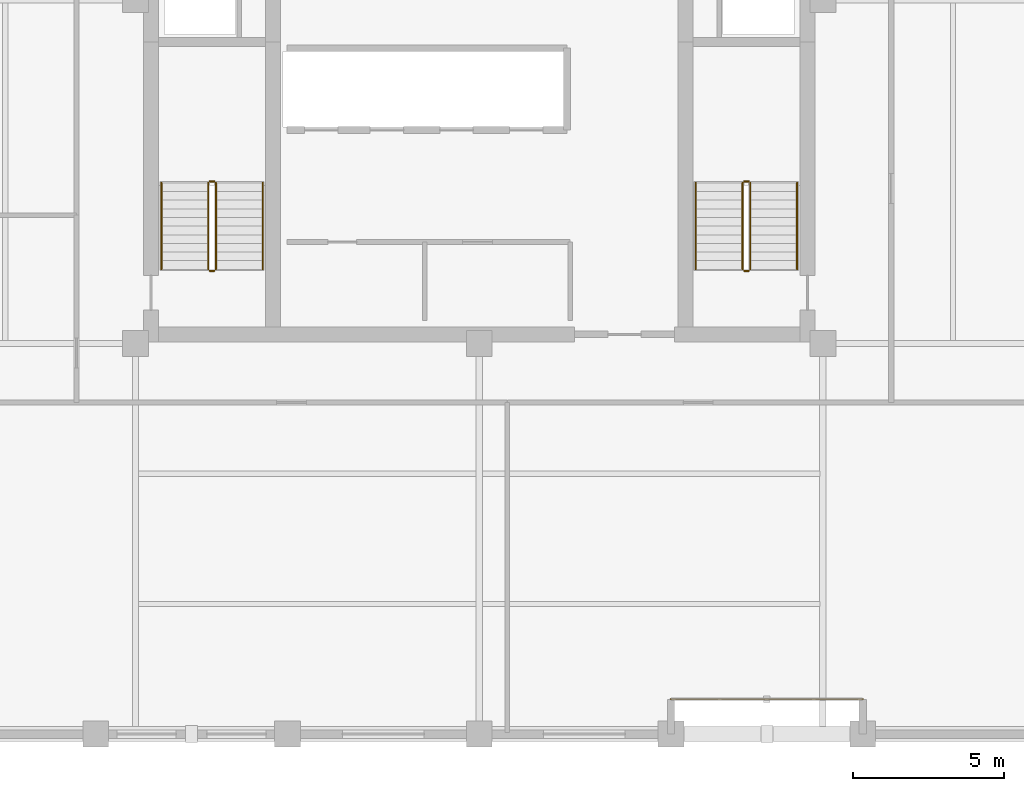
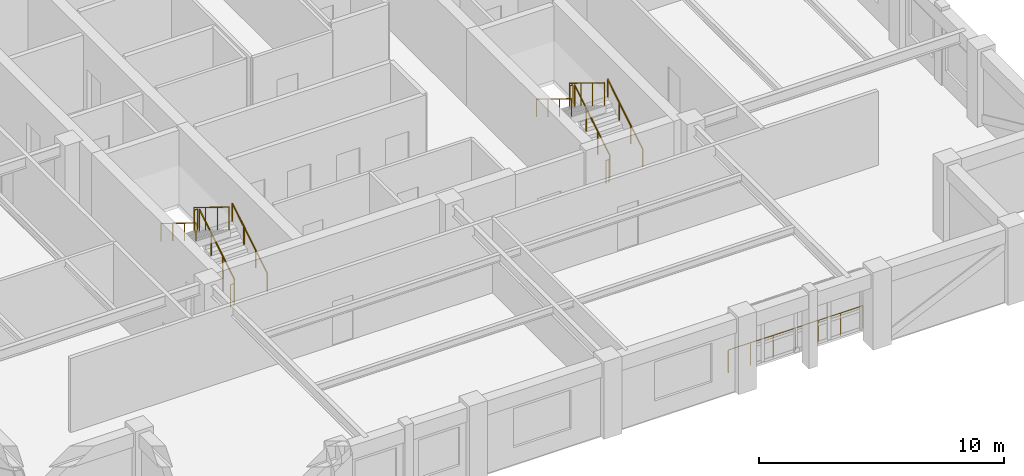
# One storey, part 10 of 10: 13 railings.
"""IFC4 building model written with IfcOpenShell, lengths in metres."""

from ifc_helpers import new_model, si_unit, direction, frame, origin, origin_2d, place, context, subcontext, project, spatial, circle, extrude, material, type_object, element, save


model = new_model("IFC4")

# Units and contexts
model_context = context("Model", 3, precision=1e-05, world=origin(), true_north=direction((0.0, 1.0)))
body_context = subcontext(model_context, "Body", "Model", "MODEL_VIEW")
ifc_project = project(units=[si_unit("LENGTHUNIT", "METRE"), si_unit("AREAUNIT", "SQUARE_METRE"), si_unit("VOLUMEUNIT", "CUBIC_METRE"), si_unit("PLANEANGLEUNIT", "RADIAN"), si_unit("MASSUNIT", "GRAM", prefix="KILO")], contexts=[model_context])

# Site, building, storey
site_placement = place(None, origin())
site = spatial("IfcSite", under=ifc_project, at=site_placement, CompositionType="ELEMENT")
building_placement = place(site_placement, origin())
building = spatial("IfcBuilding", under=site, at=building_placement, Name="Nhamokura Convention Tower", CompositionType="ELEMENT")
storey_placement = place(building_placement, frame((0.0, 0.0, 210.0)))
storey = spatial("IfcBuildingStorey", under=building, at=storey_placement, Name="L51", CompositionType="ELEMENT", Elevation=210.0)

# Railings
ifc_material_1 = material(Name="Anodised bronze stainless steel", Category="steel")
railing_type_1 = type_object("IfcRailingType", Name="StairWallHandrail_900", PredefinedType="HANDRAIL", material=ifc_material_1)
railing_1_placement = place(storey_placement, frame((24.85009765625, 23.10009765625, 0.175048828125)))
element("IfcRailing", 1, at=railing_1_placement, inside=storey, type_object=railing_type_1, Name="L51 ST-01 stair handrail 1", PredefinedType="HANDRAIL", context=body_context, shape_type="SweptSolid", body=[
    extrude(circle(Radius=0.02392578125, at=origin_2d()), frame((0.0, 0.0, 0.8759765625), z_axis=(0.0, 0.852159232446, 0.523282564737), x_axis=(-1.0, 0.0, 0.0)), (0.0, 0.0, 1.0), 3.34423828125),
    extrude(circle(Radius=0.02099609375, at=origin_2d()), origin(), (0.0, 0.0, 1.0), 0.851806640625),
    extrude(circle(Radius=0.02099609375, at=origin_2d()), frame((0.0, 0.949951171875, 0.583251953125)), (0.0, 0.0, 1.0), 0.851806640625),
    extrude(circle(Radius=0.02099609375, at=origin_2d()), frame((0.0, 1.89990234375, 1.166748046875)), (0.0, 0.0, 1.0), 0.851806640625),
    extrude(circle(Radius=0.02099609375, at=origin_2d()), frame((0.0, 2.849853515625, 1.75)), (0.0, 0.0, 1.0), 0.851806640625),
])
railing_2_placement = place(storey_placement, frame((21.5, 25.949951171875, 2.10009765625)))
element("IfcRailing", 2, at=railing_2_placement, inside=storey, type_object=railing_type_1, Name="L51 ST-01 stair handrail 2", PredefinedType="HANDRAIL", context=body_context, shape_type="SweptSolid", body=[
    extrude(circle(Radius=0.02392578125, at=origin_2d()), frame((0.0, 0.0, 0.8759765625), z_axis=(0.0, -0.852159232446, 0.523282564737), x_axis=(1.0, 0.0, 0.0)), (0.0, 0.0, 1.0), 3.34423828125),
    extrude(circle(Radius=0.02099609375, at=origin_2d()), origin(), (0.0, 0.0, 1.0), 0.851806640625),
    extrude(circle(Radius=0.02099609375, at=origin_2d()), frame((0.0, -0.949951171875, 0.583251953125)), (0.0, 0.0, 1.0), 0.851806640625),
    extrude(circle(Radius=0.02099609375, at=origin_2d()), frame((0.0, -1.89990234375, 1.166748046875)), (0.0, 0.0, 1.0), 0.851806640625),
    extrude(circle(Radius=0.02099609375, at=origin_2d()), frame((0.0, -2.849853515625, 1.75)), (0.0, 0.0, 1.0), 0.851806640625),
])
railing_3_placement = place(storey_placement, frame((42.5, 23.10009765625, 0.175048828125)))
element("IfcRailing", 3, at=railing_3_placement, inside=storey, type_object=railing_type_1, Name="L51 ST-02 stair handrail 1", PredefinedType="HANDRAIL", context=body_context, shape_type="SweptSolid", body=[
    extrude(circle(Radius=0.02392578125, at=origin_2d()), frame((0.0, 0.0, 0.8759765625), z_axis=(0.0, 0.852159232446, 0.523282564737), x_axis=(-1.0, 0.0, 0.0)), (0.0, 0.0, 1.0), 3.34423828125),
    extrude(circle(Radius=0.02099609375, at=origin_2d()), origin(), (0.0, 0.0, 1.0), 0.851806640625),
    extrude(circle(Radius=0.02099609375, at=origin_2d()), frame((0.0, 0.949951171875, 0.583251953125)), (0.0, 0.0, 1.0), 0.851806640625),
    extrude(circle(Radius=0.02099609375, at=origin_2d()), frame((0.0, 1.89990234375, 1.166748046875)), (0.0, 0.0, 1.0), 0.851806640625),
    extrude(circle(Radius=0.02099609375, at=origin_2d()), frame((0.0, 2.849853515625, 1.75)), (0.0, 0.0, 1.0), 0.851806640625),
])
railing_4_placement = place(storey_placement, frame((39.14990234375, 25.949951171875, 2.10009765625)))
element("IfcRailing", 4, at=railing_4_placement, inside=storey, type_object=railing_type_1, Name="L51 ST-02 stair handrail 2", PredefinedType="HANDRAIL", context=body_context, shape_type="SweptSolid", body=[
    extrude(circle(Radius=0.02392578125, at=origin_2d()), frame((0.0, 0.0, 0.8759765625), z_axis=(0.0, -0.852159232446, 0.523282564737), x_axis=(1.0, 0.0, 0.0)), (0.0, 0.0, 1.0), 3.34423828125),
    extrude(circle(Radius=0.02099609375, at=origin_2d()), origin(), (0.0, 0.0, 1.0), 0.851806640625),
    extrude(circle(Radius=0.02099609375, at=origin_2d()), frame((0.0, -0.949951171875, 0.583251953125)), (0.0, 0.0, 1.0), 0.851806640625),
    extrude(circle(Radius=0.02099609375, at=origin_2d()), frame((0.0, -1.89990234375, 1.166748046875)), (0.0, 0.0, 1.0), 0.851806640625),
    extrude(circle(Radius=0.02099609375, at=origin_2d()), frame((0.0, -2.849853515625, 1.75)), (0.0, 0.0, 1.0), 0.851806640625),
])
ifc_material_2 = material(Name="Painted tubular steel", Category="steel")
railing_type_2 = type_object("IfcRailingType", Name="StairWellGuardrail_1150", PredefinedType="GUARDRAIL", material=ifc_material_2)
railing_5_placement = place(storey_placement, frame((23.300048828125, 23.10009765625, 0.175048828125)))
element("IfcRailing", 5, at=railing_5_placement, inside=storey, type_object=railing_type_2, Name="L51 ST-01 stair guard 1", PredefinedType="GUARDRAIL", context=body_context, shape_type="SweptSolid", body=[
    extrude(circle(Radius=0.02392578125, at=origin_2d()), frame((0.0, 0.0, 1.1259765625), z_axis=(0.0, 0.852159232446, 0.523282564737), x_axis=(-1.0, 0.0, 0.0)), (0.0, 0.0, 1.0), 3.34423828125),
    extrude(circle(Radius=0.02099609375, at=origin_2d()), origin(), (0.0, 0.0, 1.0), 1.101806640625),
    extrude(circle(Radius=0.02099609375, at=origin_2d()), frame((0.0, 0.949951171875, 0.583251953125)), (0.0, 0.0, 1.0), 1.101806640625),
    extrude(circle(Radius=0.02099609375, at=origin_2d()), frame((0.0, 1.89990234375, 1.166748046875)), (0.0, 0.0, 1.0), 1.101806640625),
    extrude(circle(Radius=0.02099609375, at=origin_2d()), frame((0.0, 2.849853515625, 1.75)), (0.0, 0.0, 1.0), 1.101806640625),
])
railing_6_placement = place(storey_placement, frame((23.25, 26.0, 1.925048828125)))
element("IfcRailing", 6, at=railing_6_placement, inside=storey, type_object=railing_type_2, Name="L51 ST-01 stair guard 2", PredefinedType="GUARDRAIL", context=body_context, shape_type="SweptSolid", body=[
    extrude(circle(Radius=0.02392578125, at=origin_2d()), frame((0.0, 0.0, 1.1259765625), z_axis=(-1.0, 0.0, 0.0), x_axis=(0.0, -1.0, 0.0)), (0.0, 0.0, 1.0), 0.14990234375),
    extrude(circle(Radius=0.02099609375, at=origin_2d()), origin(), (0.0, 0.0, 1.0), 1.101806640625),
    extrude(circle(Radius=0.02099609375, at=origin_2d()), frame((-0.14990234375, 0.0, 0.0)), (0.0, 0.0, 1.0), 1.101806640625),
])
railing_7_placement = place(storey_placement, frame((23.050048828125, 25.949951171875, 2.10009765625)))
element("IfcRailing", 7, at=railing_7_placement, inside=storey, type_object=railing_type_2, Name="L51 ST-01 stair guard 3", PredefinedType="GUARDRAIL", context=body_context, shape_type="SweptSolid", body=[
    extrude(circle(Radius=0.02392578125, at=origin_2d()), frame((0.0, 0.0, 1.1259765625), z_axis=(0.0, -0.852159232446, 0.523282564737), x_axis=(1.0, 0.0, 0.0)), (0.0, 0.0, 1.0), 3.34423828125),
    extrude(circle(Radius=0.02099609375, at=origin_2d()), origin(), (0.0, 0.0, 1.0), 1.101806640625),
    extrude(circle(Radius=0.02099609375, at=origin_2d()), frame((0.0, -0.949951171875, 0.583251953125)), (0.0, 0.0, 1.0), 1.101806640625),
    extrude(circle(Radius=0.02099609375, at=origin_2d()), frame((0.0, -1.89990234375, 1.166748046875)), (0.0, 0.0, 1.0), 1.101806640625),
    extrude(circle(Radius=0.02099609375, at=origin_2d()), frame((0.0, -2.849853515625, 1.75)), (0.0, 0.0, 1.0), 1.101806640625),
])
railing_8_placement = place(storey_placement, frame((23.25, 23.050048828125, 0.0)))
element("IfcRailing", 8, at=railing_8_placement, inside=storey, type_object=railing_type_2, Name="L51 ST-01 stair guard 4", PredefinedType="GUARDRAIL", context=body_context, shape_type="SweptSolid", body=[
    extrude(circle(Radius=0.02392578125, at=origin_2d()), frame((0.0, 0.0, 1.1259765625), z_axis=(-1.0, 0.0, 0.0), x_axis=(0.0, -1.0, 0.0)), (0.0, 0.0, 1.0), 0.14990234375),
    extrude(circle(Radius=0.02099609375, at=origin_2d()), origin(), (0.0, 0.0, 1.0), 1.101806640625),
    extrude(circle(Radius=0.02099609375, at=origin_2d()), frame((-0.14990234375, 0.0, 0.0)), (0.0, 0.0, 1.0), 1.101806640625),
])
railing_9_placement = place(storey_placement, frame((40.949951171875, 23.10009765625, 0.175048828125)))
element("IfcRailing", 9, at=railing_9_placement, inside=storey, type_object=railing_type_2, Name="L51 ST-02 stair guard 1", PredefinedType="GUARDRAIL", context=body_context, shape_type="SweptSolid", body=[
    extrude(circle(Radius=0.02392578125, at=origin_2d()), frame((0.0, 0.0, 1.1259765625), z_axis=(0.0, 0.852159232446, 0.523282564737), x_axis=(-1.0, 0.0, 0.0)), (0.0, 0.0, 1.0), 3.34423828125),
    extrude(circle(Radius=0.02099609375, at=origin_2d()), origin(), (0.0, 0.0, 1.0), 1.101806640625),
    extrude(circle(Radius=0.02099609375, at=origin_2d()), frame((0.0, 0.949951171875, 0.583251953125)), (0.0, 0.0, 1.0), 1.101806640625),
    extrude(circle(Radius=0.02099609375, at=origin_2d()), frame((0.0, 1.89990234375, 1.166748046875)), (0.0, 0.0, 1.0), 1.101806640625),
    extrude(circle(Radius=0.02099609375, at=origin_2d()), frame((0.0, 2.849853515625, 1.75)), (0.0, 0.0, 1.0), 1.101806640625),
])
railing_10_placement = place(storey_placement, frame((40.89990234375, 26.0, 1.925048828125)))
element("IfcRailing", 10, at=railing_10_placement, inside=storey, type_object=railing_type_2, Name="L51 ST-02 stair guard 2", PredefinedType="GUARDRAIL", context=body_context, shape_type="SweptSolid", body=[
    extrude(circle(Radius=0.02392578125, at=origin_2d()), frame((0.0, 0.0, 1.1259765625), z_axis=(-1.0, 0.0, 0.0), x_axis=(0.0, -1.0, 0.0)), (0.0, 0.0, 1.0), 0.14990234375),
    extrude(circle(Radius=0.02099609375, at=origin_2d()), origin(), (0.0, 0.0, 1.0), 1.101806640625),
    extrude(circle(Radius=0.02099609375, at=origin_2d()), frame((-0.14990234375, 0.0, 0.0)), (0.0, 0.0, 1.0), 1.101806640625),
])
railing_11_placement = place(storey_placement, frame((40.699951171875, 25.949951171875, 2.10009765625)))
element("IfcRailing", 11, at=railing_11_placement, inside=storey, type_object=railing_type_2, Name="L51 ST-02 stair guard 3", PredefinedType="GUARDRAIL", context=body_context, shape_type="SweptSolid", body=[
    extrude(circle(Radius=0.02392578125, at=origin_2d()), frame((0.0, 0.0, 1.1259765625), z_axis=(0.0, -0.852159232446, 0.523282564737), x_axis=(1.0, 0.0, 0.0)), (0.0, 0.0, 1.0), 3.34423828125),
    extrude(circle(Radius=0.02099609375, at=origin_2d()), origin(), (0.0, 0.0, 1.0), 1.101806640625),
    extrude(circle(Radius=0.02099609375, at=origin_2d()), frame((0.0, -0.949951171875, 0.583251953125)), (0.0, 0.0, 1.0), 1.101806640625),
    extrude(circle(Radius=0.02099609375, at=origin_2d()), frame((0.0, -1.89990234375, 1.166748046875)), (0.0, 0.0, 1.0), 1.101806640625),
    extrude(circle(Radius=0.02099609375, at=origin_2d()), frame((0.0, -2.849853515625, 1.75)), (0.0, 0.0, 1.0), 1.101806640625),
])
railing_12_placement = place(storey_placement, frame((40.89990234375, 23.050048828125, 0.0)))
element("IfcRailing", 12, at=railing_12_placement, inside=storey, type_object=railing_type_2, Name="L51 ST-02 stair guard 4", PredefinedType="GUARDRAIL", context=body_context, shape_type="SweptSolid", body=[
    extrude(circle(Radius=0.02392578125, at=origin_2d()), frame((0.0, 0.0, 1.1259765625), z_axis=(-1.0, 0.0, 0.0), x_axis=(0.0, -1.0, 0.0)), (0.0, 0.0, 1.0), 0.14990234375),
    extrude(circle(Radius=0.02099609375, at=origin_2d()), origin(), (0.0, 0.0, 1.0), 1.101806640625),
    extrude(circle(Radius=0.02099609375, at=origin_2d()), frame((-0.14990234375, 0.0, 0.0)), (0.0, 0.0, 1.0), 1.101806640625),
])
ifc_material_3 = material(Name="Anodised bronze stainless steel", Category="steel")
railing_type_3 = type_object("IfcRailingType", Name="TerraceGuardrail_1150", PredefinedType="GUARDRAIL", material=ifc_material_3)
railing_13_placement = place(storey_placement, frame((44.666748046875, 8.89990234375, 0.0)))
element("IfcRailing", 13, at=railing_13_placement, inside=storey, type_object=railing_type_3, Name="L51 Scale-Slot Edge Guardrail SOUTH 4", PredefinedType="GUARDRAIL", context=body_context, shape_type="SweptSolid", body=[
    extrude(circle(Radius=0.02392578125, at=origin_2d()), frame((0.0, 0.0, 1.1259765625), z_axis=(-1.0, 0.0, 0.0), x_axis=(0.0, -1.0, 0.0)), (0.0, 0.0, 1.0), 6.33349609375),
    extrude(circle(Radius=0.02099609375, at=origin_2d()), origin(), (0.0, 0.0, 1.0), 1.101806640625),
    extrude(circle(Radius=0.02099609375, at=origin_2d()), frame((-1.0556640625, 0.0, 0.0)), (0.0, 0.0, 1.0), 1.101806640625),
    extrude(circle(Radius=0.02099609375, at=origin_2d()), frame((-2.111083984375, 0.0, 0.0)), (0.0, 0.0, 1.0), 1.101806640625),
    extrude(circle(Radius=0.02099609375, at=origin_2d()), frame((-3.166748046875, 0.0, 0.0)), (0.0, 0.0, 1.0), 1.101806640625),
    extrude(circle(Radius=0.02099609375, at=origin_2d()), frame((-4.222412109375, 0.0, 0.0)), (0.0, 0.0, 1.0), 1.101806640625),
    extrude(circle(Radius=0.02099609375, at=origin_2d()), frame((-5.27783203125, 0.0, 0.0)), (0.0, 0.0, 1.0), 1.101806640625),
    extrude(circle(Radius=0.02099609375, at=origin_2d()), frame((-6.33349609375, 0.0, 0.0)), (0.0, 0.0, 1.0), 1.101806640625),
])

save(model, "model.ifc")
